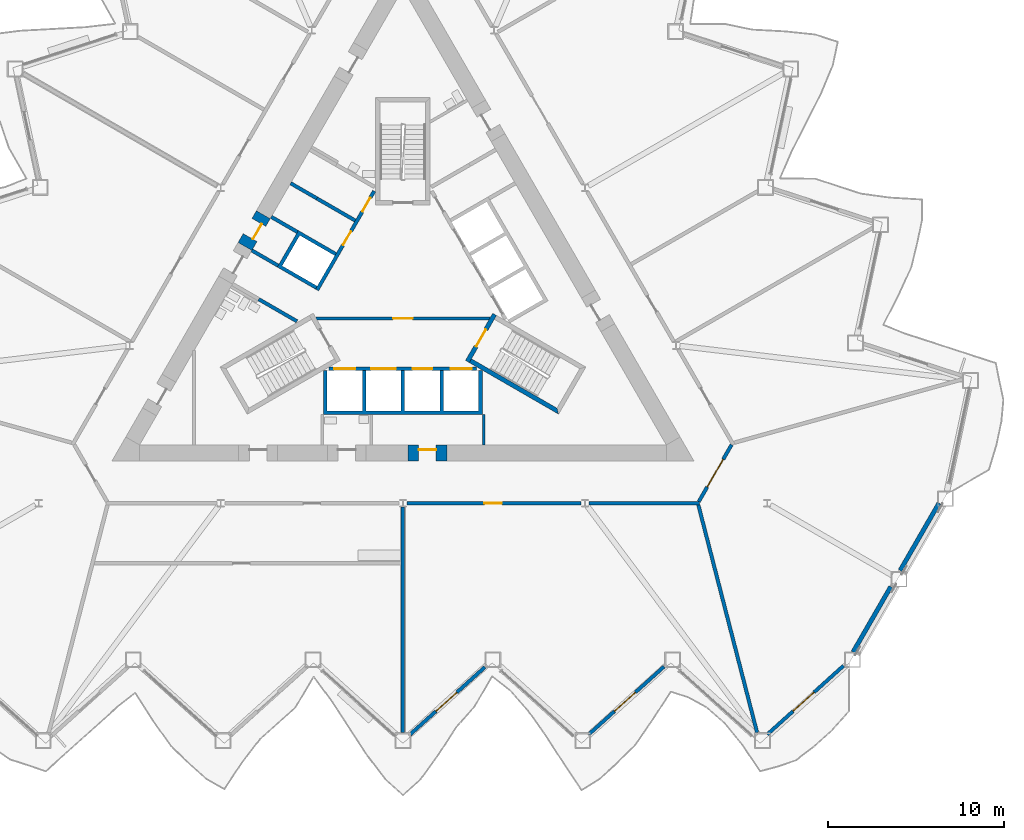
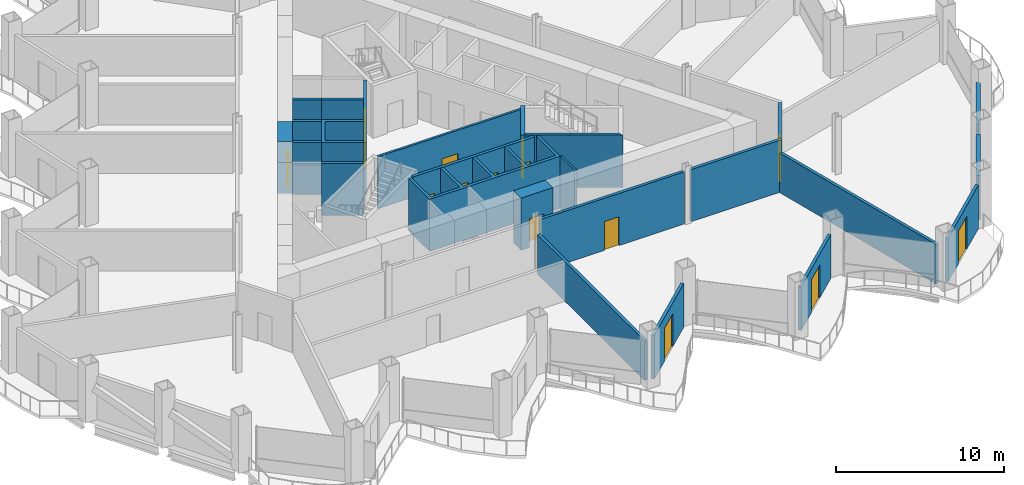
# One storey, part 11 of 21: 25 walls, 15 doors, 15 openings.
"""IFC4 building model written with IfcOpenShell, lengths in metres."""

from ifc_helpers import new_model, si_unit, direction, frame, frame_2d, origin, place, context, subcontext, project, spatial, polyline, rectangle, outline, extrude, material, layer, layer_set, type_object, element, fill, save


model = new_model("IFC4")

# Units and contexts
model_context = context("Model", 3, precision=1e-05, world=origin(), true_north=direction((0.0, 1.0)))
body_context = subcontext(model_context, "Body", "Model", "MODEL_VIEW")
ifc_project = project(units=[si_unit("LENGTHUNIT", "METRE"), si_unit("AREAUNIT", "SQUARE_METRE"), si_unit("VOLUMEUNIT", "CUBIC_METRE"), si_unit("PLANEANGLEUNIT", "RADIAN"), si_unit("MASSUNIT", "GRAM", prefix="KILO")], contexts=[model_context])

# Site, building, storey
site_placement = place(None, origin())
site = spatial("IfcSite", under=ifc_project, at=site_placement, CompositionType="ELEMENT")
building_placement = place(site_placement, origin())
building = spatial("IfcBuilding", under=site, at=building_placement, Name="Cormorant Prow Tower", CompositionType="ELEMENT")
storey_placement = place(building_placement, frame((0.0, 0.0, 141.60009765625)))
storey = spatial("IfcBuildingStorey", under=building, at=storey_placement, Name="L30", CompositionType="ELEMENT", Elevation=141.60009765625)

# Wall, opening, door
ifc_material_1 = material(Name="Gypsum board partition")
ifc_layer_1 = layer(ifc_material_1, 0.14990234375)
ifc_layer_set_1 = layer_set([ifc_layer_1], Name="Gypsum board partition")
wall_type_1 = type_object("IfcWallType", Name="Core partition 150", PredefinedType="PARTITIONING", material=ifc_layer_set_1)
wall_1_placement = place(storey_placement, frame((-4.941162109375, -1.449951171875, 0.0), z_axis=(0.0, 0.0, 1.0), x_axis=(1.0, 0.0, 0.0)))
wall_1 = element("IfcWall", 1, at=wall_1_placement, inside=storey, type_object=wall_type_1, Name="Firefighting lobby partition", PredefinedType="PARTITIONING", context=body_context, shape_type="SweptSolid", body=[
    extrude(rectangle(XDim=9.88232421875, YDim=0.14990234375, at=frame_2d((4.941162109375, 0.0))), origin(), (0.0, 0.0, 1.0), 3.7998046875),
])
opening_1_placement = place(wall_1_placement, frame((4.39111328125, 0.0, 0.0)))
opening_1 = element("IfcOpeningElement", 2, at=opening_1_placement, cuts=wall_1, Name="Opening L30-C11", PredefinedType="OPENING", context=body_context, shape_type="SweptSolid", body=[
    extrude(rectangle(XDim=1.10009765625, YDim=2.10009765625, at=frame_2d((0.550048828125, 1.050048828125))), frame((0.0, 0.0849609375, 0.0), z_axis=(0.0, -1.0, 0.0), x_axis=(1.0, 0.0, 0.0)), (0.0, 0.0, 1.0), 0.169921875),
])
ifc_material_2 = material(Name="Painted steel", Category="steel")
door_type_1 = type_object("IfcDoorType", Name="Firefighting lobby door 1100x2100", OperationType="NOTDEFINED", PredefinedType="DOOR", material=ifc_material_2)
door_1_placement = place(opening_1_placement, origin())
door_1 = element("IfcDoor", 3, at=door_1_placement, inside=storey, type_object=door_type_1, Name="Firefighting lobby door", OperationType="SINGLE_SWING_LEFT", OverallHeight=2.10009765625, OverallWidth=1.10009765625, PredefinedType="DOOR", context=body_context, shape_type="SweptSolid", body=[
    extrude(rectangle(XDim=1.10009765625, YDim=2.10009765625, at=frame_2d((0.550048828125, 1.050048828125))), frame((0.0, 0.02490234375, 0.0), z_axis=(0.0, -1.0, 0.0), x_axis=(1.0, 0.0, 0.0)), (0.0, 0.0, 1.0), 0.050048828125),
])
fill(opening_1, door_1)

# Wall
wall_2_placement = place(storey_placement, frame((4.574951171875, -6.906005859375, 0.0), z_axis=(0.0, 0.0, 1.0), x_axis=(0.0, -1.0, 0.0)))
element("IfcWall", 4, at=wall_2_placement, inside=storey, type_object=wall_type_1, Name="Service room partition", PredefinedType="PARTITIONING", context=body_context, shape_type="SweptSolid", body=[
    extrude(rectangle(XDim=1.72021484375, YDim=0.14990234375, at=frame_2d((0.860107421875, 0.0))), origin(), (0.0, 0.0, 1.0), 3.7998046875),
])

# Wall, opening, door
ifc_material_3 = material(Name="Concrete 8000 psi", Category="concrete")
ifc_layer_2 = layer(ifc_material_3, 0.89990234375)
ifc_layer_set_2 = layer_set([ifc_layer_2], Name="Concrete 8000 psi")
wall_type_2 = type_object("IfcWallType", Name="Core shear wall 900", PredefinedType="SHEAR", material=ifc_layer_set_2)
wall_3_placement = place(storey_placement, frame((0.28759765625, -9.076416015625, 0.0), z_axis=(0.0, 0.0, 1.0), x_axis=(1.0, 0.0, 0.0)))
wall_3 = element("IfcWall", 5, at=wall_3_placement, inside=storey, type_object=wall_type_2, Name="Core wall door panel", PredefinedType="SHEAR", context=body_context, shape_type="SweptSolid", body=[
    extrude(rectangle(XDim=2.199951171875, YDim=0.89990234375, at=frame_2d((1.10009765625, 0.0))), origin(), (0.0, 0.0, 1.0), 3.7998046875),
])
opening_2_placement = place(wall_3_placement, frame((0.60009765625, 0.0, 0.0)))
opening_2 = element("IfcOpeningElement", 6, at=opening_2_placement, cuts=wall_3, Name="Opening L30-C16", PredefinedType="OPENING", context=body_context, shape_type="SweptSolid", body=[
    extrude(rectangle(XDim=1.0, YDim=2.10009765625, at=frame_2d((0.5, 1.050048828125))), frame((0.0, 0.4599609375, 0.0), z_axis=(0.0, -1.0, 0.0), x_axis=(1.0, 0.0, 0.0)), (0.0, 0.0, 1.0), 0.919921875),
])
ifc_material_4 = material(Name="Painted steel", Category="steel")
door_type_2 = type_object("IfcDoorType", Name="Service door 1000x2100", OperationType="NOTDEFINED", PredefinedType="DOOR", material=ifc_material_4)
door_2_placement = place(opening_2_placement, origin())
door_2 = element("IfcDoor", 7, at=door_2_placement, inside=storey, type_object=door_type_2, Name="Core door, Pantry store", OperationType="SINGLE_SWING_RIGHT", OverallHeight=2.10009765625, OverallWidth=1.0, PredefinedType="DOOR", context=body_context, shape_type="SweptSolid", body=[
    extrude(rectangle(XDim=1.0, YDim=2.10009765625, at=frame_2d((0.5, 1.050048828125))), frame((0.0, 0.205078125, 0.0), z_axis=(0.0, -1.0, 0.0), x_axis=(1.0, 0.0, 0.0)), (0.0, 0.0, 1.0), 0.050048828125),
])
fill(opening_2, door_2)

wall_4_placement = place(storey_placement, frame((-7.92041015625, 4.43408203125, 0.0), z_axis=(0.0, 0.0, 1.0), x_axis=(-0.499939227269, -0.866060488094, 0.0)))
wall_4 = element("IfcWall", 8, at=wall_4_placement, inside=storey, type_object=wall_type_2, Name="Core wall door panel", PredefinedType="SHEAR", context=body_context, shape_type="SweptSolid", body=[
    extrude(rectangle(XDim=2.079833984375, YDim=0.89990234375, at=frame_2d((1.0400390625, 0.0))), origin(), (0.0, 0.0, 1.0), 3.7998046875),
])
opening_3_placement = place(wall_4_placement, frame((0.5, 0.0, 0.0)))
opening_3 = element("IfcOpeningElement", 9, at=opening_3_placement, cuts=wall_4, Name="Opening L30-C20", PredefinedType="OPENING", context=body_context, shape_type="SweptSolid", body=[
    extrude(rectangle(XDim=1.0, YDim=2.10009765625, at=frame_2d((0.5, 1.050048828125))), frame((0.0, 0.4599609375, 0.0), z_axis=(0.0, -1.0, 0.0), x_axis=(1.0, 0.0, 0.0)), (0.0, 0.0, 1.0), 0.919921875),
])
door_3_placement = place(opening_3_placement, origin())
door_3 = element("IfcDoor", 10, at=door_3_placement, inside=storey, type_object=door_type_2, Name="Core door, Pantry store", OperationType="SINGLE_SWING_RIGHT", OverallHeight=2.10009765625, OverallWidth=1.0, PredefinedType="DOOR", context=body_context, shape_type="SweptSolid", body=[
    extrude(rectangle(XDim=1.0, YDim=2.10009765625, at=frame_2d((0.5, 1.050048828125))), frame((0.0, 0.205078125, 0.0), z_axis=(0.0, -1.0, 0.0), x_axis=(1.0, 0.0, 0.0)), (0.0, 0.0, 1.0), 0.050048828125),
])
fill(opening_3, door_3)

ifc_material_5 = material(Name="Gypsum board corridor wall")
ifc_layer_3 = layer(ifc_material_5, 0.199951171875)
ifc_layer_set_3 = layer_set([ifc_layer_3], Name="Gypsum board corridor wall")
wall_type_3 = type_object("IfcWallType", Name="Corridor wall 200", PredefinedType="PARTITIONING", material=ifc_layer_set_3)
wall_5_placement = place(storey_placement, frame((0.227294921875, -11.92626953125, 0.0), z_axis=(0.0, 0.0, 1.0), x_axis=(1.0, 0.0, 0.0)))
wall_5 = element("IfcWall", 11, at=wall_5_placement, inside=storey, type_object=wall_type_3, Name="Corridor wall", PredefinedType="PARTITIONING", context=body_context, shape_type="SweptSolid", body=[
    extrude(rectangle(XDim=9.873779296875, YDim=0.199951171875, at=frame_2d((4.93701171875, 0.0))), origin(), (0.0, 0.0, 1.0), 3.7998046875),
])
opening_4_placement = place(wall_5_placement, frame((4.386474609375, 0.0, 0.0)))
opening_4 = element("IfcOpeningElement", 12, at=opening_4_placement, cuts=wall_5, Name="Opening L30-F03", PredefinedType="OPENING", context=body_context, shape_type="SweptSolid", body=[
    extrude(rectangle(XDim=1.0, YDim=2.10009765625, at=frame_2d((0.5, 1.050048828125))), frame((0.0, 0.10986328125, 0.0), z_axis=(0.0, -1.0, 0.0), x_axis=(1.0, 0.0, 0.0)), (0.0, 0.0, 1.0), 0.219970703125),
])
ifc_material_6 = material(Name="Timber door leaf", Category="wood")
door_type_3 = type_object("IfcDoorType", Name="Office door 1000x2100", OperationType="NOTDEFINED", PredefinedType="DOOR", material=ifc_material_6)
door_4_placement = place(opening_4_placement, origin())
door_4 = element("IfcDoor", 13, at=door_4_placement, inside=storey, type_object=door_type_3, Name="Tenant suite door", OperationType="SINGLE_SWING_RIGHT", OverallHeight=2.10009765625, OverallWidth=1.0, PredefinedType="DOOR", context=body_context, shape_type="SweptSolid", body=[
    extrude(rectangle(XDim=1.0, YDim=2.10009765625, at=frame_2d((0.5, 1.050048828125))), frame((0.0, 0.02490234375, 0.0), z_axis=(0.0, -1.0, 0.0), x_axis=(1.0, 0.0, 0.0)), (0.0, 0.0, 1.0), 0.050048828125),
])
fill(opening_4, door_4)

# Wall
wall_6_placement = place(storey_placement, frame((10.555908203125, -11.92626953125, 0.0), z_axis=(0.0, 0.0, 1.0), x_axis=(1.0, 0.0, 0.0)))
element("IfcWall", 14, at=wall_6_placement, inside=storey, type_object=wall_type_3, Name="Corridor wall", PredefinedType="PARTITIONING", context=body_context, shape_type="SweptSolid", body=[
    extrude(rectangle(XDim=6.27490234375, YDim=0.199951171875, at=frame_2d((3.137451171875, 0.0))), origin(), (0.0, 0.0, 1.0), 3.7998046875),
])

# Wall, opening, door
wall_7_placement = place(storey_placement, frame((16.781005859375, -11.839599609375, 0.0), z_axis=(0.0, 0.0, 1.0), x_axis=(0.499958791762, 0.866049194065, 0.0)))
wall_7 = element("IfcWall", 15, at=wall_7_placement, inside=storey, type_object=wall_type_3, Name="Corridor wall", PredefinedType="PARTITIONING", context=body_context, shape_type="SweptSolid", body=[
    extrude(rectangle(XDim=3.725830078125, YDim=0.199951171875, at=frame_2d((1.86279296875, 0.0))), origin(), (0.0, 0.0, 1.0), 3.7998046875),
])
opening_5_placement = place(wall_7_placement, frame((0.962890625, 0.0, 0.0)))
opening_5 = element("IfcOpeningElement", 16, at=opening_5_placement, cuts=wall_7, Name="Opening L30-F04", PredefinedType="OPENING", context=body_context, shape_type="SweptSolid", body=[
    extrude(rectangle(XDim=1.800048828125, YDim=2.10009765625, at=frame_2d((0.89990234375, 1.050048828125))), frame((0.0, 0.10986328125, 0.0), z_axis=(0.0, -1.0, 0.0), x_axis=(1.0, 0.0, 0.0)), (0.0, 0.0, 1.0), 0.219970703125),
])
ifc_material_7 = material(Name="Timber door leaf", Category="wood")
door_type_4 = type_object("IfcDoorType", Name="Double door 1800x2100", OperationType="DOUBLE_DOOR_SINGLE_SWING", PredefinedType="DOOR", material=ifc_material_7)
door_5_placement = place(opening_5_placement, origin())
door_5 = element("IfcDoor", 17, at=door_5_placement, inside=storey, type_object=door_type_4, Name="Trading room door", OperationType="DOUBLE_DOOR_SINGLE_SWING", OverallHeight=2.10009765625, OverallWidth=1.800048828125, PredefinedType="DOOR", context=body_context, shape_type="SweptSolid", body=[
    extrude(rectangle(XDim=1.800048828125, YDim=2.10009765625, at=frame_2d((0.89990234375, 1.050048828125))), frame((0.0, 0.02490234375, 0.0), z_axis=(0.0, -1.0, 0.0), x_axis=(1.0, 0.0, 0.0)), (0.0, 0.0, 1.0), 0.050048828125),
])
fill(opening_5, door_5)

# Walls
ifc_material_8 = material(Name="Gypsum board demising wall")
ifc_layer_4 = layer(ifc_material_8, 0.199951171875)
ifc_layer_set_4 = layer_set([ifc_layer_4], Name="Gypsum board demising wall")
wall_type_4 = type_object("IfcWallType", Name="Demising wall 200", PredefinedType="PARTITIONING", material=ifc_layer_set_4)
wall_8_placement = place(storey_placement, frame((16.755859375, -12.023193359375, 0.0), z_axis=(0.0, 0.0, 1.0), x_axis=(0.249815467428, -0.968293463901, 0.0)))
element("IfcWall", 18, at=wall_8_placement, inside=storey, type_object=wall_type_4, Name="Demising wall", PredefinedType="PARTITIONING", context=body_context, shape_type="SweptSolid", body=[
    extrude(rectangle(XDim=13.3388671875, YDim=0.199951171875, at=frame_2d((6.66943359375, 0.0))), origin(), (0.0, 0.0, 1.0), 2.88525390625),
])
wall_9_placement = place(storey_placement, frame((0.0, -24.939208984375, 0.0), z_axis=(0.0, 0.0, 1.0), x_axis=(0.0, 1.0, 0.0)))
element("IfcWall", 19, at=wall_9_placement, inside=storey, type_object=wall_type_4, Name="Demising wall", PredefinedType="PARTITIONING", context=body_context, shape_type="SweptSolid", body=[
    extrude(rectangle(XDim=12.785400390625, YDim=0.199951171875, at=frame_2d((6.392578125, 0.0))), origin(), (0.0, 0.0, 1.0), 2.88525390625),
])

# Wall, openings, doors
ifc_material_9 = material(Name="Concrete 5000 psi", Category="concrete")
ifc_layer_5 = layer(ifc_material_9, 0.199951171875)
ifc_layer_set_5 = layer_set([ifc_layer_5], Name="Concrete 5000 psi")
wall_type_5 = type_object("IfcWallType", Name="Lift lobby wall 200", PredefinedType="SOLIDWALL", material=ifc_layer_set_5)
wall_10_placement = place(storey_placement, frame((-4.1865234375, -4.300048828125, 0.0), z_axis=(0.0, 0.0, 1.0), x_axis=(1.0, 0.0, 0.0)))
wall_10 = element("IfcWall", 20, at=wall_10_placement, inside=storey, type_object=wall_type_5, Name="Lift lobby wall, S block", PredefinedType="SOLIDWALL", context=body_context, shape_type="SweptSolid", body=[
    extrude(rectangle(XDim=8.373046875, YDim=0.199951171875, at=frame_2d((4.1865234375, 0.0))), origin(), (0.0, 0.0, 1.0), 3.7998046875),
])
opening_6_placement = place(wall_10_placement, frame((0.28662109375, 0.0, 0.0)))
opening_6 = element("IfcOpeningElement", 21, at=opening_6_placement, cuts=wall_10, Name="Opening L30-C01", PredefinedType="OPENING", context=body_context, shape_type="SweptSolid", body=[
    extrude(rectangle(XDim=1.199951171875, YDim=2.10009765625, at=frame_2d((0.60009765625, 1.050048828125))), frame((0.0, 0.10986328125, 0.0), z_axis=(0.0, -1.0, 0.0), x_axis=(1.0, 0.0, 0.0)), (0.0, 0.0, 1.0), 0.219970703125),
])
opening_7_placement = place(wall_10_placement, frame((2.38671875, 0.0, 0.0)))
opening_7 = element("IfcOpeningElement", 22, at=opening_7_placement, cuts=wall_10, Name="Opening L30-C02", PredefinedType="OPENING", context=body_context, shape_type="SweptSolid", body=[
    extrude(rectangle(XDim=1.39990234375, YDim=2.10009765625, at=frame_2d((0.699951171875, 1.050048828125))), frame((0.0, 0.10986328125, 0.0), z_axis=(0.0, -1.0, 0.0), x_axis=(1.0, 0.0, 0.0)), (0.0, 0.0, 1.0), 0.219970703125),
])
opening_8_placement = place(wall_10_placement, frame((4.736572265625, 0.0, 0.0)))
opening_8 = element("IfcOpeningElement", 23, at=opening_8_placement, cuts=wall_10, Name="Opening L30-C03", PredefinedType="OPENING", context=body_context, shape_type="SweptSolid", body=[
    extrude(rectangle(XDim=1.10009765625, YDim=2.10009765625, at=frame_2d((0.550048828125, 1.050048828125))), frame((0.0, 0.10986328125, 0.0), z_axis=(0.0, -1.0, 0.0), x_axis=(1.0, 0.0, 0.0)), (0.0, 0.0, 1.0), 0.219970703125),
])
opening_9_placement = place(wall_10_placement, frame((6.88671875, 0.0, 0.0)))
opening_9 = element("IfcOpeningElement", 24, at=opening_9_placement, cuts=wall_10, Name="Opening L30-C04", PredefinedType="OPENING", context=body_context, shape_type="SweptSolid", body=[
    extrude(rectangle(XDim=1.199951171875, YDim=2.10009765625, at=frame_2d((0.60009765625, 1.050048828125))), frame((0.0, 0.10986328125, 0.0), z_axis=(0.0, -1.0, 0.0), x_axis=(1.0, 0.0, 0.0)), (0.0, 0.0, 1.0), 0.219970703125),
])
ifc_material_10 = material(Name="Painted steel", Category="steel")
door_type_5 = type_object("IfcDoorType", Name="Firefighting lift landing door 1200x2100", OperationType="SLIDING_TO_LEFT", PredefinedType="DOOR", material=ifc_material_10)
door_6_placement = place(opening_6_placement, origin())
door_6 = element("IfcDoor", 25, at=door_6_placement, inside=storey, type_object=door_type_5, Name="Landing door FL1", OperationType="SLIDING_TO_LEFT", OverallHeight=2.10009765625, OverallWidth=1.199951171875, PredefinedType="DOOR", context=body_context, shape_type="SweptSolid", body=[
    extrude(rectangle(XDim=1.199951171875, YDim=2.10009765625, at=frame_2d((0.60009765625, 1.050048828125))), frame((0.0, 0.02490234375, 0.0), z_axis=(0.0, -1.0, 0.0), x_axis=(1.0, 0.0, 0.0)), (0.0, 0.0, 1.0), 0.050048828125),
])
fill(opening_6, door_6)
door_7_placement = place(opening_9_placement, origin())
door_7 = element("IfcDoor", 26, at=door_7_placement, inside=storey, type_object=door_type_5, Name="Landing door FL2", OperationType="SLIDING_TO_LEFT", OverallHeight=2.10009765625, OverallWidth=1.199951171875, PredefinedType="DOOR", context=body_context, shape_type="SweptSolid", body=[
    extrude(rectangle(XDim=1.199951171875, YDim=2.10009765625, at=frame_2d((0.60009765625, 1.050048828125))), frame((0.0, 0.02490234375, 0.0), z_axis=(0.0, -1.0, 0.0), x_axis=(1.0, 0.0, 0.0)), (0.0, 0.0, 1.0), 0.050048828125),
])
fill(opening_9, door_7)
ifc_material_11 = material(Name="Painted steel", Category="steel")
door_type_6 = type_object("IfcDoorType", Name="Lift landing door 1100x2100", OperationType="SLIDING_TO_LEFT", PredefinedType="DOOR", material=ifc_material_11)
door_8_placement = place(opening_8_placement, origin())
door_8 = element("IfcDoor", 27, at=door_8_placement, inside=storey, type_object=door_type_6, Name="Landing door LR1", OperationType="SLIDING_TO_LEFT", OverallHeight=2.10009765625, OverallWidth=1.10009765625, PredefinedType="DOOR", context=body_context, shape_type="SweptSolid", body=[
    extrude(rectangle(XDim=1.10009765625, YDim=2.10009765625, at=frame_2d((0.550048828125, 1.050048828125))), frame((0.0, 0.02490234375, 0.0), z_axis=(0.0, -1.0, 0.0), x_axis=(1.0, 0.0, 0.0)), (0.0, 0.0, 1.0), 0.050048828125),
])
fill(opening_8, door_8)
ifc_material_12 = material(Name="Painted steel", Category="steel")
door_type_7 = type_object("IfcDoorType", Name="Service lift landing door 1400x2100", OperationType="SLIDING_TO_LEFT", PredefinedType="DOOR", material=ifc_material_12)
door_9_placement = place(opening_7_placement, origin())
door_9 = element("IfcDoor", 28, at=door_9_placement, inside=storey, type_object=door_type_7, Name="Landing door SL1", OperationType="SLIDING_TO_LEFT", OverallHeight=2.10009765625, OverallWidth=1.39990234375, PredefinedType="DOOR", context=body_context, shape_type="SweptSolid", body=[
    extrude(rectangle(XDim=1.39990234375, YDim=2.10009765625, at=frame_2d((0.699951171875, 1.050048828125))), frame((0.0, 0.02490234375, 0.0), z_axis=(0.0, -1.0, 0.0), x_axis=(1.0, 0.0, 0.0)), (0.0, 0.0, 1.0), 0.050048828125),
])
fill(opening_7, door_9)

wall_11_placement = place(storey_placement, frame((-1.630615234375, 5.775634765625, 0.0), z_axis=(0.0, 0.0, 1.0), x_axis=(-0.499992876559, -0.866029516466, 0.0)))
wall_11 = element("IfcWall", 29, at=wall_11_placement, inside=storey, type_object=wall_type_5, Name="Lift lobby wall, WNW block", PredefinedType="SOLIDWALL", context=body_context, shape_type="SweptSolid", body=[
    extrude(rectangle(XDim=6.486328125, YDim=0.199951171875, at=frame_2d((3.2431640625, 0.0))), origin(), (0.0, 0.0, 1.0), 3.7998046875),
])
opening_10_placement = place(wall_11_placement, frame((0.4365234375, 0.0, 0.0)))
opening_10 = element("IfcOpeningElement", 30, at=opening_10_placement, cuts=wall_11, Name="Opening L30-C09", PredefinedType="OPENING", context=body_context, shape_type="SweptSolid", body=[
    extrude(rectangle(XDim=0.89990234375, YDim=2.10009765625, at=frame_2d((0.449951171875, 1.050048828125))), frame((0.0, 0.10986328125, 0.0), z_axis=(0.0, -1.0, 0.0), x_axis=(1.0, 0.0, 0.0)), (0.0, 0.0, 1.0), 0.219970703125),
])
opening_11_placement = place(wall_11_placement, frame((2.63671875, 0.0, 0.0)))
opening_11 = element("IfcOpeningElement", 31, at=opening_11_placement, cuts=wall_11, Name="Opening L30-C10", PredefinedType="OPENING", context=body_context, shape_type="SweptSolid", body=[
    extrude(rectangle(XDim=0.89990234375, YDim=2.10009765625, at=frame_2d((0.449951171875, 1.050048828125))), frame((0.0, 0.10986328125, 0.0), z_axis=(0.0, -1.0, 0.0), x_axis=(1.0, 0.0, 0.0)), (0.0, 0.0, 1.0), 0.219970703125),
])
ifc_material_13 = material(Name="Painted steel", Category="steel")
door_type_8 = type_object("IfcDoorType", Name="Service door 900x2100", OperationType="NOTDEFINED", PredefinedType="DOOR", material=ifc_material_13)
door_10_placement = place(opening_10_placement, origin())
door_10 = element("IfcDoor", 32, at=door_10_placement, inside=storey, type_object=door_type_8, Name="Service door, Telecom room", OperationType="SINGLE_SWING_LEFT", OverallHeight=2.10009765625, OverallWidth=0.89990234375, PredefinedType="DOOR", context=body_context, shape_type="SweptSolid", body=[
    extrude(rectangle(XDim=0.89990234375, YDim=2.10009765625, at=frame_2d((0.449951171875, 1.050048828125))), frame((0.0, 0.02490234375, 0.0), z_axis=(0.0, -1.0, 0.0), x_axis=(1.0, 0.0, 0.0)), (0.0, 0.0, 1.0), 0.050048828125),
])
fill(opening_10, door_10)
door_11_placement = place(opening_11_placement, origin())
door_11 = element("IfcDoor", 33, at=door_11_placement, inside=storey, type_object=door_type_8, Name="Service door, Housekeeping store", OperationType="SINGLE_SWING_LEFT", OverallHeight=2.10009765625, OverallWidth=0.89990234375, PredefinedType="DOOR", context=body_context, shape_type="SweptSolid", body=[
    extrude(rectangle(XDim=0.89990234375, YDim=2.10009765625, at=frame_2d((0.449951171875, 1.050048828125))), frame((0.0, 0.02490234375, 0.0), z_axis=(0.0, -1.0, 0.0), x_axis=(1.0, 0.0, 0.0)), (0.0, 0.0, 1.0), 0.050048828125),
])
fill(opening_11, door_11)

# Walls
ifc_material_14 = material(Name="Concrete 8000 psi", Category="concrete")
ifc_layer_6 = layer(ifc_material_14, 0.199951171875)
ifc_layer_set_6 = layer_set([ifc_layer_6], Name="Concrete 8000 psi")
wall_type_6 = type_object("IfcWallType", Name="Lift shaft wall 200", PredefinedType="SHEAR", material=ifc_layer_set_6)
wall_12_placement = place(storey_placement, origin())
element("IfcWall", 34, at=wall_12_placement, inside=storey, type_object=wall_type_6, Name="Lift shaft walls, S block", PredefinedType="SHEAR", context=body_context, shape_type="SweptSolid", body=[
    extrude(outline(polyline([(4.5, -4.39990234375), (4.5, -6.906005859375), (-4.5, -6.906005859375), (-4.5, -4.39990234375), (-4.300048828125, -4.39990234375), (-4.300048828125, -6.699951171875), (-2.300048828125, -6.699951171875), (-2.300048828125, -4.39990234375), (-2.10009765625, -4.39990234375), (-2.10009765625, -6.699951171875), (-0.10009765625, -6.699951171875), (-0.10009765625, -4.39990234375), (0.10009765625, -4.39990234375), (0.10009765625, -6.699951171875), (2.10009765625, -6.699951171875), (2.10009765625, -4.39990234375), (2.300048828125, -4.39990234375), (2.300048828125, -6.699951171875), (4.300048828125, -6.699951171875), (4.300048828125, -4.39990234375), (4.5, -4.39990234375)])), origin(), (0.0, 0.0, 1.0), 3.7998046875),
])
wall_13_placement = place(storey_placement, origin())
element("IfcWall", 35, at=wall_13_placement, inside=storey, type_object=wall_type_6, Name="Lift shaft walls, WNW block", PredefinedType="SHEAR", context=body_context, shape_type="SweptSolid", body=[
    extrude(outline(polyline([(-6.060546875, -1.697021484375), (-8.230712890625, -0.444091796875), (-8.130859375, -0.27099609375), (-5.96044921875, -1.52392578125), (-6.060546875, -1.697021484375)])), origin(), (0.0, 0.0, 1.0), 3.7998046875),
])
wall_14_placement = place(storey_placement, origin())
element("IfcWall", 36, at=wall_14_placement, inside=storey, type_object=wall_type_6, Name="Lift shaft walls, WNW block", PredefinedType="SHEAR", context=body_context, shape_type="SweptSolid", body=[
    extrude(outline(polyline([(-4.96044921875, 0.2080078125), (-7.130859375, 1.461181640625), (-5.930908203125, 3.53955078125), (-3.760498046875, 2.28662109375), (-3.860595703125, 2.11328125), (-5.852294921875, 3.263427734375), (-6.852294921875, 1.53125), (-4.860595703125, 0.38134765625), (-4.96044921875, 0.2080078125)])), origin(), (0.0, 0.0, 1.0), 3.7998046875),
])
wall_15_placement = place(storey_placement, origin())
element("IfcWall", 37, at=wall_15_placement, inside=storey, type_object=wall_type_6, Name="Lift shaft walls, WNW block", PredefinedType="SHEAR", context=body_context, shape_type="SweptSolid", body=[
    extrude(outline(polyline([(-2.760498046875, 4.018798828125), (-4.930908203125, 5.271728515625), (-4.830810546875, 5.44482421875), (-2.660400390625, 4.19189453125), (-2.760498046875, 4.018798828125)])), origin(), (0.0, 0.0, 1.0), 3.7998046875),
])
wall_16_placement = place(storey_placement, frame((-4.880859375, 5.3583984375, 0.0), z_axis=(0.0, 0.0, 1.0), x_axis=(-0.866024871741, 0.500000921525, 0.0)))
element("IfcWall", 38, at=wall_16_placement, inside=storey, type_object=wall_type_6, Name="Store side wall", PredefinedType="SHEAR", context=body_context, shape_type="SweptSolid", body=[
    extrude(rectangle(XDim=1.72021484375, YDim=0.199951171875, at=frame_2d((0.860107421875, 0.0))), origin(), (0.0, 0.0, 1.0), 3.7998046875),
])
wall_17_placement = place(storey_placement, frame((-5.980712890625, 3.452880859375, 0.0), z_axis=(0.0, 0.0, 1.0), x_axis=(-0.866060346521, 0.499939472521, 0.0)))
element("IfcWall", 39, at=wall_17_placement, inside=storey, type_object=wall_type_6, Name="Store side wall", PredefinedType="SHEAR", context=body_context, shape_type="SweptSolid", body=[
    extrude(rectangle(XDim=1.720458984375, YDim=0.199951171875, at=frame_2d((0.8603515625, 0.0))), origin(), (0.0, 0.0, 1.0), 3.7998046875),
])
wall_18_placement = place(storey_placement, frame((-7.080810546875, 1.547607421875, 0.0), z_axis=(0.0, 0.0, 1.0), x_axis=(-0.865963414263, 0.500107353632, 0.0)))
element("IfcWall", 40, at=wall_18_placement, inside=storey, type_object=wall_type_6, Name="Lobby passage wall", PredefinedType="SHEAR", context=body_context, shape_type="SweptSolid", body=[
    extrude(rectangle(XDim=1.72021484375, YDim=0.199951171875, at=frame_2d((0.860107421875, 0.0))), origin(), (0.0, 0.0, 1.0), 3.7998046875),
])
ifc_material_15 = material(Name="Concrete 8000 psi", Category="concrete")
ifc_layer_7 = layer(ifc_material_15, 0.25)
ifc_layer_set_7 = layer_set([ifc_layer_7], Name="Concrete 8000 psi")
wall_type_7 = type_object("IfcWallType", Name="Stair wall 250", PredefinedType="SHEAR", material=ifc_layer_set_7)
wall_19_placement = place(storey_placement, origin())
element("IfcWall", 41, at=wall_19_placement, inside=storey, type_object=wall_type_7, Name="Stair ST2 enclosure wall (flank)", PredefinedType="SHEAR", context=body_context, shape_type="SweptSolid", body=[
    extrude(outline(polyline([(3.76318359375, -3.95556640625), (8.82958984375, -6.880615234375), (8.738037109375, -6.5390625), (3.88818359375, -3.739013671875), (3.76318359375, -3.95556640625)])), origin(), (0.0, 0.0, 1.0), 3.7998046875),
])

# Wall, opening, door
wall_20_placement = place(storey_placement, frame((3.655029296875, -3.89306640625, 0.0), z_axis=(0.0, 0.0, 1.0), x_axis=(0.499982516597, 0.866035497597, 0.0)))
wall_20 = element("IfcWall", 42, at=wall_20_placement, inside=storey, type_object=wall_type_7, Name="Stair ST2 door wall", PredefinedType="SHEAR", context=body_context, shape_type="SweptSolid", body=[
    extrude(rectangle(XDim=3.087890625, YDim=0.25, at=frame_2d((1.5439453125, 0.0))), origin(), (0.0, 0.0, 1.0), 3.7998046875),
])
opening_12_placement = place(wall_20_placement, frame((0.993896484375, 0.0, 0.0)))
opening_12 = element("IfcOpeningElement", 43, at=opening_12_placement, cuts=wall_20, Name="Opening L30-C13", PredefinedType="OPENING", context=body_context, shape_type="SweptSolid", body=[
    extrude(rectangle(XDim=1.10009765625, YDim=2.10009765625, at=frame_2d((0.550048828125, 1.050048828125))), frame((0.0, 0.135009765625, 0.0), z_axis=(0.0, -1.0, 0.0), x_axis=(1.0, 0.0, 0.0)), (0.0, 0.0, 1.0), 0.27001953125),
])
ifc_material_16 = material(Name="Painted steel", Category="steel")
door_type_9 = type_object("IfcDoorType", Name="Stair door 1100x2100", OperationType="NOTDEFINED", PredefinedType="DOOR", material=ifc_material_16)
door_12_placement = place(opening_12_placement, origin())
door_12 = element("IfcDoor", 44, at=door_12_placement, inside=storey, type_object=door_type_9, Name="Stair ST2 door", OperationType="SINGLE_SWING_RIGHT", OverallHeight=2.10009765625, OverallWidth=1.10009765625, PredefinedType="DOOR", context=body_context, shape_type="SweptSolid", body=[
    extrude(rectangle(XDim=1.10009765625, YDim=2.10009765625, at=frame_2d((0.550048828125, 1.050048828125))), frame((0.0, 0.02490234375, 0.0), z_axis=(0.0, -1.0, 0.0), x_axis=(1.0, 0.0, 0.0)), (0.0, 0.0, 1.0), 0.050048828125),
])
fill(opening_12, door_12)

# Walls
ifc_material_17 = material(Name="Terracotta", Category="masonry")
ifc_layer_8 = layer(ifc_material_17, 0.25)
ifc_layer_set_8 = layer_set([ifc_layer_8], Name="Terracotta")
wall_type_8 = type_object("IfcWallType", Name="Terracotta bay wall 250", PredefinedType="SOLIDWALL", material=ifc_layer_set_8)
wall_21_placement = place(storey_placement, frame((25.5322265625, -20.374755859375, 0.0), z_axis=(0.0, 0.0, 1.0), x_axis=(0.500010506321, 0.866019337872, 0.0)))
element("IfcWall", 45, at=wall_21_placement, inside=storey, type_object=wall_type_8, Name="Terracotta bay wall ESE00", PredefinedType="SOLIDWALL", context=body_context, shape_type="SweptSolid", body=[
    extrude(rectangle(XDim=4.27978515625, YDim=0.25, at=frame_2d((2.139892578125, 0.0))), origin(), (0.0, 0.0, 1.0), 3.188720703125),
])
wall_22_placement = place(storey_placement, frame((28.206298828125, -15.743408203125, 0.0), z_axis=(0.0, 0.0, 1.0), x_axis=(0.499979643272, 0.866037156428, 0.0)))
element("IfcWall", 46, at=wall_22_placement, inside=storey, type_object=wall_type_8, Name="Terracotta bay wall ESE01", PredefinedType="SOLIDWALL", context=body_context, shape_type="SweptSolid", body=[
    extrude(rectangle(XDim=4.409912109375, YDim=0.25, at=frame_2d((2.205078125, 0.0))), origin(), (0.0, 0.0, 1.0), 3.188720703125),
])

# Wall, opening, door
ifc_material_18 = material(Name="Terracotta", Category="masonry")
ifc_layer_9 = layer(ifc_material_18, 0.199951171875)
ifc_layer_set_9 = layer_set([ifc_layer_9], Name="Terracotta")
wall_type_9 = type_object("IfcWallType", Name="Terracotta jamb wall 200", PredefinedType="SOLIDWALL", material=ifc_layer_set_9)
wall_23_placement = place(storey_placement, frame((0.40576171875, -25.04833984375, 0.0), z_axis=(0.0, 0.0, 1.0), x_axis=(0.743121921177, 0.669156043286, 0.0)))
wall_23 = element("IfcWall", 47, at=wall_23_placement, inside=storey, type_object=wall_type_9, Name="Terracotta jamb wall S05", PredefinedType="SOLIDWALL", context=body_context, shape_type="SweptSolid", body=[
    extrude(rectangle(XDim=5.710205078125, YDim=0.199951171875, at=frame_2d((2.85498046875, 0.0))), origin(), (0.0, 0.0, 1.0), 3.188720703125),
])
opening_13_placement = place(wall_23_placement, frame((1.971435546875, 0.0, 0.0)))
opening_13 = element("IfcOpeningElement", 48, at=opening_13_placement, cuts=wall_23, Name="Opening ED30.03", PredefinedType="OPENING", context=body_context, shape_type="SweptSolid", body=[
    extrude(rectangle(XDim=1.60009765625, YDim=2.39990234375, at=frame_2d((0.800048828125, 1.199951171875))), frame((0.0, 0.10986328125, 0.0), z_axis=(0.0, -1.0, 0.0), x_axis=(1.0, 0.0, 0.0)), (0.0, 0.0, 1.0), 0.219970703125),
])
ifc_material_19 = material(Name="Aluminium 6063-T6", Category="aluminium")
door_type_10 = type_object("IfcDoorType", Name="Balcony door 1600x2400", OperationType="DOUBLE_DOOR_SINGLE_SWING", PredefinedType="DOOR", material=ifc_material_19)
door_13_placement = place(opening_13_placement, origin())
door_13 = element("IfcDoor", 49, at=door_13_placement, inside=storey, type_object=door_type_10, Name="Balcony door S05 ED30.03", OperationType="DOUBLE_DOOR_SINGLE_SWING", OverallHeight=2.39990234375, OverallWidth=1.60009765625, PredefinedType="DOOR", context=body_context, shape_type="SweptSolid", body=[
    extrude(rectangle(XDim=1.60009765625, YDim=2.39990234375, at=frame_2d((0.800048828125, 1.199951171875))), frame((0.0, 0.02490234375, 0.0), z_axis=(0.0, -1.0, 0.0), x_axis=(1.0, 0.0, 0.0)), (0.0, 0.0, 1.0), 0.050048828125),
])
fill(opening_13, door_13)

wall_24_placement = place(storey_placement, frame((10.53466796875, -25.04833984375, 0.0), z_axis=(0.0, 0.0, 1.0), x_axis=(0.74315279225, 0.669121758256, 0.0)))
wall_24 = element("IfcWall", 50, at=wall_24_placement, inside=storey, type_object=wall_type_9, Name="Terracotta jamb wall S07", PredefinedType="SOLIDWALL", context=body_context, shape_type="SweptSolid", body=[
    extrude(rectangle(XDim=5.754638671875, YDim=0.199951171875, at=frame_2d((2.87744140625, 0.0))), origin(), (0.0, 0.0, 1.0), 3.188720703125),
])
opening_14_placement = place(wall_24_placement, frame((1.971435546875, 0.0, 0.0)))
opening_14 = element("IfcOpeningElement", 51, at=opening_14_placement, cuts=wall_24, Name="Opening ED30.04", PredefinedType="OPENING", context=body_context, shape_type="SweptSolid", body=[
    extrude(rectangle(XDim=1.60009765625, YDim=2.39990234375, at=frame_2d((0.800048828125, 1.199951171875))), frame((0.0, 0.10986328125, 0.0), z_axis=(0.0, -1.0, 0.0), x_axis=(1.0, 0.0, 0.0)), (0.0, 0.0, 1.0), 0.219970703125),
])
door_14_placement = place(opening_14_placement, origin())
door_14 = element("IfcDoor", 52, at=door_14_placement, inside=storey, type_object=door_type_10, Name="Balcony door S07 ED30.04", OperationType="DOUBLE_DOOR_SINGLE_SWING", OverallHeight=2.39990234375, OverallWidth=1.60009765625, PredefinedType="DOOR", context=body_context, shape_type="SweptSolid", body=[
    extrude(rectangle(XDim=1.60009765625, YDim=2.39990234375, at=frame_2d((0.800048828125, 1.199951171875))), frame((0.0, 0.02490234375, 0.0), z_axis=(0.0, -1.0, 0.0), x_axis=(1.0, 0.0, 0.0)), (0.0, 0.0, 1.0), 0.050048828125),
])
fill(opening_14, door_14)

wall_25_placement = place(storey_placement, frame((20.663818359375, -25.04833984375, 0.0), z_axis=(0.0, 0.0, 1.0), x_axis=(0.743137948431, 0.669138244014, 0.0)))
wall_25 = element("IfcWall", 53, at=wall_25_placement, inside=storey, type_object=wall_type_9, Name="Terracotta jamb wall S09", PredefinedType="SOLIDWALL", context=body_context, shape_type="SweptSolid", body=[
    extrude(rectangle(XDim=5.82958984375, YDim=0.199951171875, at=frame_2d((2.914794921875, 0.0))), origin(), (0.0, 0.0, 1.0), 3.188720703125),
])
opening_15_placement = place(wall_25_placement, frame((1.971435546875, 0.0, 0.0)))
opening_15 = element("IfcOpeningElement", 54, at=opening_15_placement, cuts=wall_25, Name="Opening ED30.05", PredefinedType="OPENING", context=body_context, shape_type="SweptSolid", body=[
    extrude(rectangle(XDim=1.60009765625, YDim=2.39990234375, at=frame_2d((0.800048828125, 1.199951171875))), frame((0.0, 0.10986328125, 0.0), z_axis=(0.0, -1.0, 0.0), x_axis=(1.0, 0.0, 0.0)), (0.0, 0.0, 1.0), 0.219970703125),
])
door_15_placement = place(opening_15_placement, origin())
door_15 = element("IfcDoor", 55, at=door_15_placement, inside=storey, type_object=door_type_10, Name="Balcony door S09 ED30.05", OperationType="DOUBLE_DOOR_SINGLE_SWING", OverallHeight=2.39990234375, OverallWidth=1.60009765625, PredefinedType="DOOR", context=body_context, shape_type="SweptSolid", body=[
    extrude(rectangle(XDim=1.60009765625, YDim=2.39990234375, at=frame_2d((0.800048828125, 1.199951171875))), frame((0.0, 0.02490234375, 0.0), z_axis=(0.0, -1.0, 0.0), x_axis=(1.0, 0.0, 0.0)), (0.0, 0.0, 1.0), 0.050048828125),
])
fill(opening_15, door_15)

save(model, "model.ifc")
